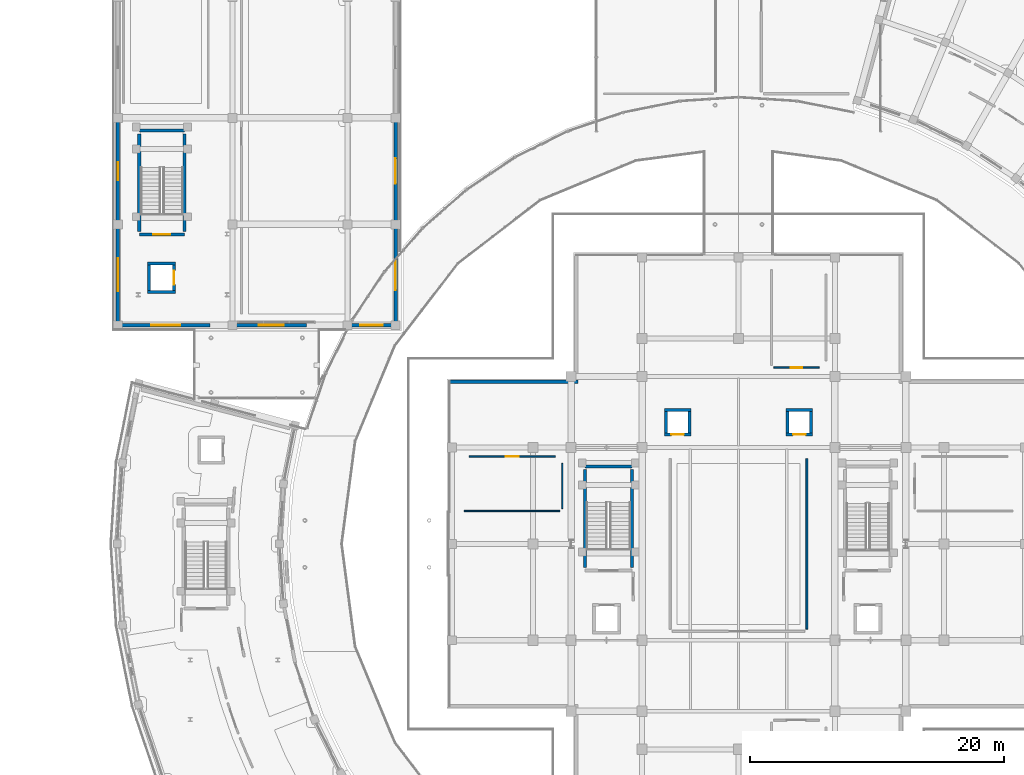
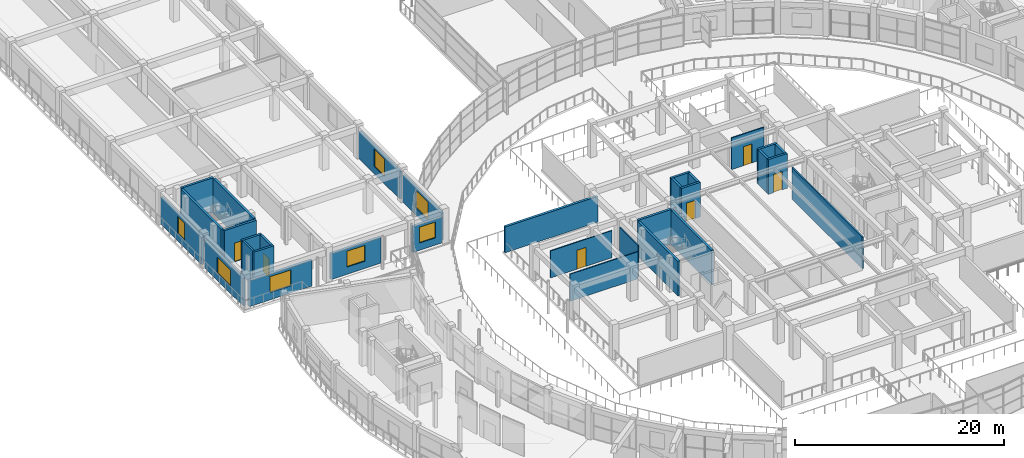
# One storey, part 58 of 83: 32 walls, 7 windows, 6 doors, 13 openings.
"""IFC4 building model written with IfcOpenShell, lengths in metres."""

from ifc_helpers import new_model, si_unit, direction, frame, frame_2d, origin, place, context, subcontext, project, spatial, rectangle, extrude, material, layer, layer_set, type_object, element, fill, save


model = new_model("IFC4")

# Units and contexts
model_context = context("Model", 3, precision=1e-05, world=origin(), true_north=direction((0.0, 1.0)))
body_context = subcontext(model_context, "Body", "Model", "MODEL_VIEW")
ifc_project = project(units=[si_unit("LENGTHUNIT", "METRE"), si_unit("AREAUNIT", "SQUARE_METRE"), si_unit("VOLUMEUNIT", "CUBIC_METRE"), si_unit("PLANEANGLEUNIT", "RADIAN"), si_unit("MASSUNIT", "GRAM", prefix="KILO")], contexts=[model_context])

# Site, building, storey
site_placement = place(None, origin())
site = spatial("IfcSite", under=ifc_project, at=site_placement, CompositionType="ELEMENT")
building_placement = place(site_placement, origin())
building = spatial("IfcBuilding", under=site, at=building_placement, Name="Saryqyr Civic Hall", CompositionType="ELEMENT")
storey_placement = place(building_placement, frame((0.0, 0.0, 9.14990234375)))
storey = spatial("IfcBuildingStorey", under=building, at=storey_placement, Name="L02", CompositionType="ELEMENT", Elevation=9.14990234375)

# Wall
ifc_material_1 = material(Name="Precast concrete C40/50", Category="concrete")
ifc_layer_1 = layer(ifc_material_1, 0.27001953125, Name="Precast concrete C40/50")
ifc_layer_set_1 = layer_set([ifc_layer_1], Name="Precast concrete C40/50")
wall_type_1 = type_object("IfcWallType", Name="ENV-WAL-EXT-270", PredefinedType="STANDARD", material=ifc_layer_set_1)
wall_1_placement = place(storey_placement, frame((34.080078125, 96.800048828125, 0.0), z_axis=(0.0, 0.0, 1.0), x_axis=(1.0, 0.0, 0.0)))
element("IfcWall", 1, at=wall_1_placement, inside=storey, type_object=wall_type_1, Name="Exterior wall V1-EW-L02-03", PredefinedType="STANDARD", context=body_context, shape_type="SweptSolid", body=[
    extrude(rectangle(XDim=10.239990234375, YDim=0.27001953125, at=frame_2d((5.1201171875, 0.0))), origin(), (0.0, 0.0, 1.0), 3.01513671875),
])

# Wall, opening, window
wall_2_placement = place(storey_placement, frame((29.6650390625, 101.25, 0.0), z_axis=(0.0, 0.0, 1.0), x_axis=(-1.0, 0.0, 0.0)))
wall_2 = element("IfcWall", 2, at=wall_2_placement, inside=storey, type_object=wall_type_1, Name="Exterior wall V3-EW-L02-0-0", PredefinedType="STANDARD", context=body_context, shape_type="SweptSolid", body=[
    extrude(rectangle(XDim=3.22998046875, YDim=0.27001953125, at=frame_2d((1.614990234375, 0.0))), origin(), (0.0, 0.0, 1.0), 3.005126953125),
])
opening_1_placement = place(wall_2_placement, frame((0.739990234375, 0.0, 0.85009765625)))
opening_1 = element("IfcOpeningElement", 3, at=opening_1_placement, cuts=wall_2, Name="Opening W-27", PredefinedType="OPENING", context=body_context, shape_type="SweptSolid", body=[
    extrude(rectangle(XDim=1.75, YDim=1.85009765625, at=frame_2d((0.875, 0.925048828125))), frame((0.0, 0.14501953125, 0.0), z_axis=(0.0, -1.0, 0.0), x_axis=(1.0, 0.0, 0.0)), (0.0, 0.0, 1.0), 0.2900390625),
])
ifc_material_2 = material(Name="Anodised aluminium and triple low-E glass", Category="aluminium")
window_type_1 = type_object("IfcWindowType", Name="ENV-WIN-W27", PartitioningType="SINGLE_PANEL", PredefinedType="WINDOW", material=ifc_material_2)
window_1_placement = place(opening_1_placement, origin())
window_1 = element("IfcWindow", 4, at=window_1_placement, inside=storey, type_object=window_type_1, Name="Library window L02-0-0", OverallHeight=1.85009765625, OverallWidth=1.75, PartitioningType="SINGLE_PANEL", PredefinedType="WINDOW", context=body_context, shape_type="SweptSolid", body=[
    extrude(rectangle(XDim=1.75, YDim=1.85009765625, at=frame_2d((0.875, 0.925048828125))), frame((0.0, 0.030029296875, 0.0), z_axis=(0.0, -1.0, 0.0), x_axis=(1.0, 0.0, 0.0)), (0.0, 0.0, 1.0), 0.06005859375),
])
fill(opening_1, window_1)

wall_3_placement = place(storey_placement, frame((22.919921875, 101.25, 0.0), z_axis=(0.0, 0.0, 1.0), x_axis=(-1.0, 0.0, 0.0)))
wall_3 = element("IfcWall", 5, at=wall_3_placement, inside=storey, type_object=wall_type_1, Name="Exterior wall V3-EW-L02-0-1", PredefinedType="STANDARD", context=body_context, shape_type="SweptSolid", body=[
    extrude(rectangle(XDim=5.534912109375, YDim=0.27001953125, at=frame_2d((2.767578125, 0.0))), origin(), (0.0, 0.0, 1.0), 3.01513671875),
])
opening_2_placement = place(wall_3_placement, frame((1.76806640625, 0.0, 0.85009765625)))
opening_2 = element("IfcOpeningElement", 6, at=opening_2_placement, cuts=wall_3, Name="Opening W-28", PredefinedType="OPENING", context=body_context, shape_type="SweptSolid", body=[
    extrude(rectangle(XDim=2.0, YDim=1.85009765625, at=frame_2d((1.0, 0.925048828125))), frame((0.0, 0.14501953125, 0.0), z_axis=(0.0, -1.0, 0.0), x_axis=(1.0, 0.0, 0.0)), (0.0, 0.0, 1.0), 0.2900390625),
])
window_type_2 = type_object("IfcWindowType", Name="ENV-WIN-W28", PartitioningType="SINGLE_PANEL", PredefinedType="WINDOW", material=ifc_material_2)
window_2_placement = place(opening_2_placement, origin())
window_2 = element("IfcWindow", 7, at=window_2_placement, inside=storey, type_object=window_type_2, Name="Library window L02-0-1", OverallHeight=1.85009765625, OverallWidth=2.0, PartitioningType="SINGLE_PANEL", PredefinedType="WINDOW", context=body_context, shape_type="SweptSolid", body=[
    extrude(rectangle(XDim=2.0, YDim=1.85009765625, at=frame_2d((1.0, 0.925048828125))), frame((0.0, 0.030029296875, 0.0), z_axis=(0.0, -1.0, 0.0), x_axis=(1.0, 0.0, 0.0)), (0.0, 0.0, 1.0), 0.06005859375),
])
fill(opening_2, window_2)

wall_4_placement = place(storey_placement, frame((15.320068359375, 101.25, 0.0), z_axis=(0.0, 0.0, 1.0), x_axis=(-1.0, 0.0, 0.0)))
wall_4 = element("IfcWall", 8, at=wall_4_placement, inside=storey, type_object=wall_type_1, Name="Exterior wall V3-EW-L02-0-2", PredefinedType="STANDARD", context=body_context, shape_type="SweptSolid", body=[
    extrude(rectangle(XDim=6.985107421875, YDim=0.27001953125, at=frame_2d((3.49267578125, 0.0))), origin(), (0.0, 0.0, 1.0), 3.01513671875),
])
opening_3_placement = place(wall_4_placement, frame((2.342041015625, 0.0, 0.85009765625)))
opening_3 = element("IfcOpeningElement", 9, at=opening_3_placement, cuts=wall_4, Name="Opening W-29", PredefinedType="OPENING", context=body_context, shape_type="SweptSolid", body=[
    extrude(rectangle(XDim=2.300048828125, YDim=1.85009765625, at=frame_2d((1.14990234375, 0.925048828125))), frame((0.0, 0.14501953125, 0.0), z_axis=(0.0, -1.0, 0.0), x_axis=(1.0, 0.0, 0.0)), (0.0, 0.0, 1.0), 0.2900390625),
])
window_type_3 = type_object("IfcWindowType", Name="ENV-WIN-W29", PartitioningType="SINGLE_PANEL", PredefinedType="WINDOW", material=ifc_material_2)
window_3_placement = place(opening_3_placement, origin())
window_3 = element("IfcWindow", 10, at=window_3_placement, inside=storey, type_object=window_type_3, Name="Library window L02-0-2", OverallHeight=1.85009765625, OverallWidth=2.300048828125, PartitioningType="SINGLE_PANEL", PredefinedType="WINDOW", context=body_context, shape_type="SweptSolid", body=[
    extrude(rectangle(XDim=2.300048828125, YDim=1.85009765625, at=frame_2d((1.14990234375, 0.925048828125))), frame((0.0, 0.030029296875, 0.0), z_axis=(0.0, -1.0, 0.0), x_axis=(1.0, 0.0, 0.0)), (0.0, 0.0, 1.0), 0.06005859375),
])
fill(opening_3, window_3)

wall_5_placement = place(storey_placement, frame((29.949951171875, 117.31494140625, 0.0), z_axis=(0.0, 0.0, 1.0), x_axis=(0.0, -1.0, 0.0)))
wall_5 = element("IfcWall", 11, at=wall_5_placement, inside=storey, type_object=wall_type_1, Name="Exterior wall V3-EW-L02-1-5", PredefinedType="STANDARD", context=body_context, shape_type="SweptSolid", body=[
    extrude(rectangle(XDim=7.829833984375, YDim=0.27001953125, at=frame_2d((3.9150390625, 0.0))), origin(), (0.0, 0.0, 1.0), 3.155029296875),
])
opening_4_placement = place(wall_5_placement, frame((2.9150390625, 0.0, 0.85009765625)))
opening_4 = element("IfcOpeningElement", 12, at=opening_4_placement, cuts=wall_5, Name="Opening W-33", PredefinedType="OPENING", context=body_context, shape_type="SweptSolid", body=[
    extrude(rectangle(XDim=2.0, YDim=2.050048828125, at=frame_2d((1.0, 1.02490234375))), frame((0.0, 0.14501953125, 0.0), z_axis=(0.0, -1.0, 0.0), x_axis=(1.0, 0.0, 0.0)), (0.0, 0.0, 1.0), 0.2900390625),
])
window_type_4 = type_object("IfcWindowType", Name="ENV-WIN-W33", PartitioningType="SINGLE_PANEL", PredefinedType="WINDOW", material=ifc_material_2)
window_4_placement = place(opening_4_placement, origin())
window_4 = element("IfcWindow", 13, at=window_4_placement, inside=storey, type_object=window_type_4, Name="Library window L02-1-5", OverallHeight=2.050048828125, OverallWidth=2.0, PartitioningType="SINGLE_PANEL", PredefinedType="WINDOW", context=body_context, shape_type="SweptSolid", body=[
    extrude(rectangle(XDim=2.0, YDim=2.050048828125, at=frame_2d((1.0, 1.02490234375))), frame((0.0, 0.030029296875, 0.0), z_axis=(0.0, -1.0, 0.0), x_axis=(1.0, 0.0, 0.0)), (0.0, 0.0, 1.0), 0.06005859375),
])
fill(opening_4, window_4)

wall_6_placement = place(storey_placement, frame((29.949951171875, 108.9150390625, 0.0), z_axis=(0.0, 0.0, 1.0), x_axis=(0.0, -1.0, 0.0)))
wall_6 = element("IfcWall", 14, at=wall_6_placement, inside=storey, type_object=wall_type_1, Name="Exterior wall V3-EW-L02-1-6", PredefinedType="STANDARD", context=body_context, shape_type="SweptSolid", body=[
    extrude(rectangle(XDim=7.380126953125, YDim=0.27001953125, at=frame_2d((3.68994140625, 0.0))), origin(), (0.0, 0.0, 1.0), 3.155029296875),
])
opening_5_placement = place(wall_6_placement, frame((2.489990234375, 0.0, 0.85009765625)))
opening_5 = element("IfcOpeningElement", 15, at=opening_5_placement, cuts=wall_6, Name="Opening W-34", PredefinedType="OPENING", context=body_context, shape_type="SweptSolid", body=[
    extrude(rectangle(XDim=2.39990234375, YDim=2.050048828125, at=frame_2d((1.199951171875, 1.02490234375))), frame((0.0, 0.14501953125, 0.0), z_axis=(0.0, -1.0, 0.0), x_axis=(1.0, 0.0, 0.0)), (0.0, 0.0, 1.0), 0.2900390625),
])
window_type_5 = type_object("IfcWindowType", Name="ENV-WIN-W34", PartitioningType="SINGLE_PANEL", PredefinedType="WINDOW", material=ifc_material_2)
window_5_placement = place(opening_5_placement, origin())
window_5 = element("IfcWindow", 16, at=window_5_placement, inside=storey, type_object=window_type_5, Name="Library window L02-1-6", OverallHeight=2.050048828125, OverallWidth=2.39990234375, PartitioningType="SINGLE_PANEL", PredefinedType="WINDOW", context=body_context, shape_type="SweptSolid", body=[
    extrude(rectangle(XDim=2.39990234375, YDim=2.050048828125, at=frame_2d((1.199951171875, 1.02490234375))), frame((0.0, 0.030029296875, 0.0), z_axis=(0.0, -1.0, 0.0), x_axis=(1.0, 0.0, 0.0)), (0.0, 0.0, 1.0), 0.06005859375),
])
fill(opening_5, window_5)

wall_7_placement = place(storey_placement, frame((8.050048828125, 101.534912109375, 0.0), z_axis=(0.0, 0.0, 1.0), x_axis=(0.0, 1.0, 0.0)))
wall_7 = element("IfcWall", 17, at=wall_7_placement, inside=storey, type_object=wall_type_1, Name="Exterior wall V3-EW-L02-3-0", PredefinedType="STANDARD", context=body_context, shape_type="SweptSolid", body=[
    extrude(rectangle(XDim=7.380126953125, YDim=0.27001953125, at=frame_2d((3.68994140625, 0.0))), origin(), (0.0, 0.0, 1.0), 3.1650390625),
])
opening_6_placement = place(wall_7_placement, frame((2.389892578125, 0.0, 0.85009765625)))
opening_6 = element("IfcOpeningElement", 18, at=opening_6_placement, cuts=wall_7, Name="Opening W-30", PredefinedType="OPENING", context=body_context, shape_type="SweptSolid", body=[
    extrude(rectangle(XDim=2.60009765625, YDim=1.85009765625, at=frame_2d((1.300048828125, 0.925048828125))), frame((0.0, 0.14501953125, 0.0), z_axis=(0.0, -1.0, 0.0), x_axis=(1.0, 0.0, 0.0)), (0.0, 0.0, 1.0), 0.2900390625),
])
window_type_6 = type_object("IfcWindowType", Name="ENV-WIN-W30", PartitioningType="SINGLE_PANEL", PredefinedType="WINDOW", material=ifc_material_2)
window_6_placement = place(opening_6_placement, origin())
window_6 = element("IfcWindow", 19, at=window_6_placement, inside=storey, type_object=window_type_6, Name="Library window L02-3-0", OverallHeight=1.85009765625, OverallWidth=2.60009765625, PartitioningType="SINGLE_PANEL", PredefinedType="WINDOW", context=body_context, shape_type="SweptSolid", body=[
    extrude(rectangle(XDim=2.60009765625, YDim=1.85009765625, at=frame_2d((1.300048828125, 0.925048828125))), frame((0.0, 0.030029296875, 0.0), z_axis=(0.0, -1.0, 0.0), x_axis=(1.0, 0.0, 0.0)), (0.0, 0.0, 1.0), 0.06005859375),
])
fill(opening_6, window_6)

wall_8_placement = place(storey_placement, frame((8.050048828125, 109.485107421875, 0.0), z_axis=(0.0, 0.0, 1.0), x_axis=(0.0, 1.0, 0.0)))
wall_8 = element("IfcWall", 20, at=wall_8_placement, inside=storey, type_object=wall_type_1, Name="Exterior wall V3-EW-L02-3-1", PredefinedType="STANDARD", context=body_context, shape_type="SweptSolid", body=[
    extrude(rectangle(XDim=7.829833984375, YDim=0.27001953125, at=frame_2d((3.9150390625, 0.0))), origin(), (0.0, 0.0, 1.0), 3.1650390625),
])
opening_7_placement = place(wall_8_placement, frame((3.215087890625, 0.0, 0.85009765625)))
opening_7 = element("IfcOpeningElement", 21, at=opening_7_placement, cuts=wall_8, Name="Opening W-31", PredefinedType="OPENING", context=body_context, shape_type="SweptSolid", body=[
    extrude(rectangle(XDim=1.39990234375, YDim=2.050048828125, at=frame_2d((0.699951171875, 1.02490234375))), frame((0.0, 0.14501953125, 0.0), z_axis=(0.0, -1.0, 0.0), x_axis=(1.0, 0.0, 0.0)), (0.0, 0.0, 1.0), 0.2900390625),
])
window_type_7 = type_object("IfcWindowType", Name="ENV-WIN-W31", PartitioningType="SINGLE_PANEL", PredefinedType="WINDOW", material=ifc_material_2)
window_7_placement = place(opening_7_placement, origin())
window_7 = element("IfcWindow", 22, at=window_7_placement, inside=storey, type_object=window_type_7, Name="Library window L02-3-1", OverallHeight=2.050048828125, OverallWidth=1.39990234375, PartitioningType="SINGLE_PANEL", PredefinedType="WINDOW", context=body_context, shape_type="SweptSolid", body=[
    extrude(rectangle(XDim=1.39990234375, YDim=2.050048828125, at=frame_2d((0.699951171875, 1.02490234375))), frame((0.0, 0.030029296875, 0.0), z_axis=(0.0, -1.0, 0.0), x_axis=(1.0, 0.0, 0.0)), (0.0, 0.0, 1.0), 0.06005859375),
])
fill(opening_7, window_7)

# Wall
ifc_material_3 = material(Name="Moisture-resistant gypsum partition", Category="gypsum")
ifc_layer_2 = layer(ifc_material_3, 0.110107421875, Name="Moisture-resistant gypsum partition")
ifc_layer_set_2 = layer_set([ifc_layer_2], Name="Moisture-resistant gypsum partition")
wall_type_2 = type_object("IfcWallType", Name="INT-WAL-PRT-110", PredefinedType="PARTITIONING", material=ifc_layer_set_2)
wall_9_placement = place(storey_placement, frame((43.10009765625, 90.35009765625, 0.0), z_axis=(0.0, 0.0, 1.0), x_axis=(0.0, -1.0, 0.0)))
element("IfcWall", 23, at=wall_9_placement, inside=storey, type_object=wall_type_2, Name="Interior partition PRT-SP-V1-L02-R04-W1", PredefinedType="PARTITIONING", context=body_context, shape_type="SweptSolid", body=[
    extrude(rectangle(XDim=3.570068359375, YDim=0.110107421875, at=frame_2d((1.78515625, 0.0))), origin(), (0.0, 0.0, 1.0), 3.7001953125),
])

# Wall, opening, door
wall_10_placement = place(storey_placement, frame((35.75, 90.89990234375, 0.0), z_axis=(0.0, 0.0, 1.0), x_axis=(1.0, 0.0, 0.0)))
wall_10 = element("IfcWall", 24, at=wall_10_placement, inside=storey, type_object=wall_type_2, Name="Interior partition PRT-SP-V1-L02-R04-W2", PredefinedType="PARTITIONING", context=body_context, shape_type="SweptSolid", body=[
    extrude(rectangle(XDim=6.800048828125, YDim=0.110107421875, at=frame_2d((3.39990234375, 0.0))), origin(), (0.0, 0.0, 1.0), 3.1650390625),
])
opening_8_placement = place(wall_10_placement, frame((2.89990234375, 0.0, 0.0)))
opening_8 = element("IfcOpeningElement", 25, at=opening_8_placement, cuts=wall_10, Name="Opening D-10", PredefinedType="OPENING", context=body_context, shape_type="SweptSolid", body=[
    extrude(rectangle(XDim=1.0, YDim=2.219970703125, at=frame_2d((0.5, 1.10986328125))), frame((0.0, 0.06494140625, 0.0), z_axis=(0.0, -1.0, 0.0), x_axis=(1.0, 0.0, 0.0)), (0.0, 0.0, 1.0), 0.130126953125),
])
ifc_material_4 = material(Name="Acoustic solid-core oak veneer", Category="wood")
door_type_1 = type_object("IfcDoorType", Name="INT-DR-D-10", OperationType="NOTDEFINED", PredefinedType="DOOR", material=ifc_material_4)
door_1_placement = place(opening_8_placement, origin())
door_1 = element("IfcDoor", 26, at=door_1_placement, inside=storey, type_object=door_type_1, Name="Interior door Caucus Room West", OperationType="SINGLE_SWING_RIGHT", OverallHeight=2.219970703125, OverallWidth=1.0, PredefinedType="DOOR", context=body_context, shape_type="SweptSolid", body=[
    extrude(rectangle(XDim=1.0, YDim=2.219970703125, at=frame_2d((0.5, 1.10986328125))), frame((0.0, 0.02490234375, 0.0), z_axis=(0.0, -1.0, 0.0), x_axis=(1.0, 0.0, 0.0)), (0.0, 0.0, 1.0), 0.050048828125),
])
fill(opening_8, door_1)

# Wall
wall_11_placement = place(storey_placement, frame((42.919921875, 86.60009765625, 0.0), z_axis=(0.0, 0.0, 1.0), x_axis=(-1.0, 0.0, 0.0)))
element("IfcWall", 27, at=wall_11_placement, inside=storey, type_object=wall_type_2, Name="Interior partition PRT-SP-V1-L02-R04-W3", PredefinedType="PARTITIONING", context=body_context, shape_type="SweptSolid", body=[
    extrude(rectangle(XDim=7.5400390625, YDim=0.110107421875, at=frame_2d((3.77001953125, 0.0))), origin(), (0.0, 0.0, 1.0), 3.1650390625),
])

# Wall, opening, door
ifc_material_5 = material(Name="Metal-stud gypsum board partition", Category="gypsum")
ifc_layer_3 = layer(ifc_material_5, 0.125, Name="Metal-stud gypsum board partition")
ifc_layer_set_3 = layer_set([ifc_layer_3], Name="Metal-stud gypsum board partition")
wall_type_3 = type_object("IfcWallType", Name="INT-WAL-PRT-125", PredefinedType="PARTITIONING", material=ifc_layer_set_3)
wall_12_placement = place(storey_placement, frame((63.35009765625, 97.89990234375, 0.0), z_axis=(0.0, 0.0, 1.0), x_axis=(-1.0, 0.0, 0.0)))
wall_12 = element("IfcWall", 28, at=wall_12_placement, inside=storey, type_object=wall_type_3, Name="Interior partition PRT-SP-V1-L02-R03-W1", PredefinedType="PARTITIONING", context=body_context, shape_type="SweptSolid", body=[
    extrude(rectangle(XDim=3.570068359375, YDim=0.125, at=frame_2d((1.78515625, 0.0))), origin(), (0.0, 0.0, 1.0), 3.7001953125),
])
opening_9_placement = place(wall_12_placement, frame((1.3349609375, 0.0, 0.0)))
opening_9 = element("IfcOpeningElement", 29, at=opening_9_placement, cuts=wall_12, Name="Opening D-09", PredefinedType="OPENING", context=body_context, shape_type="SweptSolid", body=[
    extrude(rectangle(XDim=0.89990234375, YDim=2.219970703125, at=frame_2d((0.449951171875, 1.10986328125))), frame((0.0, 0.072509765625, 0.0), z_axis=(0.0, -1.0, 0.0), x_axis=(1.0, 0.0, 0.0)), (0.0, 0.0, 1.0), 0.14501953125),
])
door_type_2 = type_object("IfcDoorType", Name="INT-DR-D-09", OperationType="NOTDEFINED", PredefinedType="DOOR", material=ifc_material_4)
door_2_placement = place(opening_9_placement, origin())
door_2 = element("IfcDoor", 30, at=door_2_placement, inside=storey, type_object=door_type_2, Name="Interior door Legislative Translation & Briefing Room", OperationType="SINGLE_SWING_LEFT", OverallHeight=2.219970703125, OverallWidth=0.89990234375, PredefinedType="DOOR", context=body_context, shape_type="SweptSolid", body=[
    extrude(rectangle(XDim=0.89990234375, YDim=2.219970703125, at=frame_2d((0.449951171875, 1.10986328125))), frame((0.0, 0.02490234375, 0.0), z_axis=(0.0, -1.0, 0.0), x_axis=(1.0, 0.0, 0.0)), (0.0, 0.0, 1.0), 0.050048828125),
])
fill(opening_9, door_2)

# Wall
ifc_material_6 = material(Name="Acoustic double-stud gypsum board", Category="gypsum")
ifc_layer_4 = layer(ifc_material_6, 0.155029296875, Name="Acoustic double-stud gypsum board")
ifc_layer_set_4 = layer_set([ifc_layer_4], Name="Acoustic double-stud gypsum board")
wall_type_4 = type_object("IfcWallType", Name="INT-WAL-PRT-155", PredefinedType="PARTITIONING", material=ifc_layer_set_4)
wall_13_placement = place(storey_placement, frame((62.39990234375, 90.719970703125, 0.0), z_axis=(0.0, 0.0, 1.0), x_axis=(0.0, -1.0, 0.0)))
element("IfcWall", 31, at=wall_13_placement, inside=storey, type_object=wall_type_4, Name="Interior partition PRT-SP-V1-L02-R01-W2", PredefinedType="PARTITIONING", context=body_context, shape_type="SweptSolid", body=[
    extrude(rectangle(XDim=13.43994140625, YDim=0.155029296875, at=frame_2d((6.719970703125, 0.0))), origin(), (0.0, 0.0, 1.0), 3.7001953125),
])

# Wall, opening, door
ifc_material_7 = material(Name="Concrete C40/50", Category="concrete")
ifc_layer_5 = layer(ifc_material_7, 0.239990234375, Name="Concrete C40/50")
ifc_layer_set_5 = layer_set([ifc_layer_5], Name="Concrete C40/50")
wall_type_5 = type_object("IfcWallType", Name="INT-WAL-SHR-240", PredefinedType="SHEAR", material=ifc_layer_set_5)
wall_14_placement = place(storey_placement, frame((53.25, 92.6201171875, 0.0), z_axis=(0.0, 0.0, 1.0), x_axis=(-1.0, 0.0, 0.0)))
wall_14 = element("IfcWall", 32, at=wall_14_placement, inside=storey, type_object=wall_type_5, Name="Lift shaft shear wall LF-03-SHW-S-L02", PredefinedType="SHEAR", context=body_context, shape_type="SweptSolid", body=[
    extrude(rectangle(XDim=2.10009765625, YDim=0.239990234375, at=frame_2d((1.050048828125, 0.0))), origin(), (0.0, 0.0, 1.0), 4.050048828125),
])
opening_10_placement = place(wall_14_placement, frame((0.550048828125, 0.0, 0.0)))
opening_10 = element("IfcOpeningElement", 33, at=opening_10_placement, cuts=wall_14, Name="Opening LD-02", PredefinedType="OPENING", context=body_context, shape_type="SweptSolid", body=[
    extrude(rectangle(XDim=1.0, YDim=2.14990234375, at=frame_2d((0.5, 1.074951171875))), frame((0.0, 0.1298828125, 0.0), z_axis=(0.0, -1.0, 0.0), x_axis=(1.0, 0.0, 0.0)), (0.0, 0.0, 1.0), 0.260009765625),
])
ifc_material_8 = material(Name="Brushed stainless steel", Category="steel")
door_type_3 = type_object("IfcDoorType", Name="INT-DR-LD-1000x2150", OperationType="NOTDEFINED", PredefinedType="DOOR", material=ifc_material_8)
door_3_placement = place(opening_10_placement, origin())
door_3 = element("IfcDoor", 34, at=door_3_placement, inside=storey, type_object=door_type_3, Name="Lift sliding landing door LF-03 L02", OperationType="SLIDING_TO_LEFT", OverallHeight=2.14990234375, OverallWidth=1.0, PredefinedType="DOOR", context=body_context, shape_type="SweptSolid", body=[
    extrude(rectangle(XDim=1.0, YDim=2.14990234375, at=frame_2d((0.5, 1.074951171875))), frame((0.0, 0.02490234375, 0.0), z_axis=(0.0, -1.0, 0.0), x_axis=(1.0, 0.0, 0.0)), (0.0, 0.0, 1.0), 0.050048828125),
])
fill(opening_10, door_3)

# Walls
wall_15_placement = place(storey_placement, frame((53.1298828125, 94.4599609375, 0.0), z_axis=(0.0, 0.0, 1.0), x_axis=(0.0, -1.0, 0.0)))
element("IfcWall", 35, at=wall_15_placement, inside=storey, type_object=wall_type_5, Name="Lift shaft shear wall LF-03-SHW-E-L02", PredefinedType="SHEAR", context=body_context, shape_type="SweptSolid", body=[
    extrude(rectangle(XDim=1.719970703125, YDim=0.239990234375, at=frame_2d((0.85986328125, 0.0))), origin(), (0.0, 0.0, 1.0), 4.050048828125),
])
wall_16_placement = place(storey_placement, frame((51.14990234375, 94.580078125, 0.0), z_axis=(0.0, 0.0, 1.0), x_axis=(1.0, 0.0, 0.0)))
element("IfcWall", 36, at=wall_16_placement, inside=storey, type_object=wall_type_5, Name="Lift shaft shear wall LF-03-SHW-N-L02", PredefinedType="SHEAR", context=body_context, shape_type="SweptSolid", body=[
    extrude(rectangle(XDim=2.10009765625, YDim=0.239990234375, at=frame_2d((1.050048828125, 0.0))), origin(), (0.0, 0.0, 1.0), 4.050048828125),
])
wall_17_placement = place(storey_placement, frame((51.27001953125, 92.739990234375, 0.0), z_axis=(0.0, 0.0, 1.0), x_axis=(0.0, 1.0, 0.0)))
element("IfcWall", 37, at=wall_17_placement, inside=storey, type_object=wall_type_5, Name="Lift shaft shear wall LF-03-SHW-W-L02", PredefinedType="SHEAR", context=body_context, shape_type="SweptSolid", body=[
    extrude(rectangle(XDim=1.719970703125, YDim=0.239990234375, at=frame_2d((0.85986328125, 0.0))), origin(), (0.0, 0.0, 1.0), 4.050048828125),
])

# Wall, opening, door
wall_18_placement = place(storey_placement, frame((62.85009765625, 92.6201171875, 0.0), z_axis=(0.0, 0.0, 1.0), x_axis=(-1.0, 0.0, 0.0)))
wall_18 = element("IfcWall", 38, at=wall_18_placement, inside=storey, type_object=wall_type_5, Name="Lift shaft shear wall LF-04-SHW-S-L02", PredefinedType="SHEAR", context=body_context, shape_type="SweptSolid", body=[
    extrude(rectangle(XDim=2.10009765625, YDim=0.239990234375, at=frame_2d((1.050048828125, 0.0))), origin(), (0.0, 0.0, 1.0), 4.050048828125),
])
opening_11_placement = place(wall_18_placement, frame((0.550048828125, 0.0, 0.0)))
opening_11 = element("IfcOpeningElement", 39, at=opening_11_placement, cuts=wall_18, Name="Opening LD-02", PredefinedType="OPENING", context=body_context, shape_type="SweptSolid", body=[
    extrude(rectangle(XDim=1.0, YDim=2.14990234375, at=frame_2d((0.5, 1.074951171875))), frame((0.0, 0.1298828125, 0.0), z_axis=(0.0, -1.0, 0.0), x_axis=(1.0, 0.0, 0.0)), (0.0, 0.0, 1.0), 0.260009765625),
])
door_4_placement = place(opening_11_placement, origin())
door_4 = element("IfcDoor", 40, at=door_4_placement, inside=storey, type_object=door_type_3, Name="Lift sliding landing door LF-04 L02", OperationType="SLIDING_TO_RIGHT", OverallHeight=2.14990234375, OverallWidth=1.0, PredefinedType="DOOR", context=body_context, shape_type="SweptSolid", body=[
    extrude(rectangle(XDim=1.0, YDim=2.14990234375, at=frame_2d((0.5, 1.074951171875))), frame((0.0, 0.02490234375, 0.0), z_axis=(0.0, -1.0, 0.0), x_axis=(1.0, 0.0, 0.0)), (0.0, 0.0, 1.0), 0.050048828125),
])
fill(opening_11, door_4)

# Walls
wall_19_placement = place(storey_placement, frame((62.72998046875, 94.4599609375, 0.0), z_axis=(0.0, 0.0, 1.0), x_axis=(0.0, -1.0, 0.0)))
element("IfcWall", 41, at=wall_19_placement, inside=storey, type_object=wall_type_5, Name="Lift shaft shear wall LF-04-SHW-E-L02", PredefinedType="SHEAR", context=body_context, shape_type="SweptSolid", body=[
    extrude(rectangle(XDim=1.719970703125, YDim=0.239990234375, at=frame_2d((0.85986328125, 0.0))), origin(), (0.0, 0.0, 1.0), 4.050048828125),
])
wall_20_placement = place(storey_placement, frame((60.75, 94.580078125, 0.0), z_axis=(0.0, 0.0, 1.0), x_axis=(1.0, 0.0, 0.0)))
element("IfcWall", 42, at=wall_20_placement, inside=storey, type_object=wall_type_5, Name="Lift shaft shear wall LF-04-SHW-N-L02", PredefinedType="SHEAR", context=body_context, shape_type="SweptSolid", body=[
    extrude(rectangle(XDim=2.10009765625, YDim=0.239990234375, at=frame_2d((1.050048828125, 0.0))), origin(), (0.0, 0.0, 1.0), 4.050048828125),
])
wall_21_placement = place(storey_placement, frame((60.8701171875, 92.739990234375, 0.0), z_axis=(0.0, 0.0, 1.0), x_axis=(0.0, 1.0, 0.0)))
element("IfcWall", 43, at=wall_21_placement, inside=storey, type_object=wall_type_5, Name="Lift shaft shear wall LF-04-SHW-W-L02", PredefinedType="SHEAR", context=body_context, shape_type="SweptSolid", body=[
    extrude(rectangle(XDim=1.719970703125, YDim=0.239990234375, at=frame_2d((0.85986328125, 0.0))), origin(), (0.0, 0.0, 1.0), 4.050048828125),
])
wall_22_placement = place(storey_placement, frame((12.60009765625, 103.8701171875, 0.0), z_axis=(0.0, 0.0, 1.0), x_axis=(-1.0, 0.0, 0.0)))
element("IfcWall", 44, at=wall_22_placement, inside=storey, type_object=wall_type_5, Name="Lift shaft shear wall LF-05-SHW-S-L02", PredefinedType="SHEAR", context=body_context, shape_type="SweptSolid", body=[
    extrude(rectangle(XDim=2.2001953125, YDim=0.239990234375, at=frame_2d((1.10009765625, 0.0))), origin(), (0.0, 0.0, 1.0), 4.050048828125),
])

# Wall, opening, door
wall_23_placement = place(storey_placement, frame((12.47998046875, 106.010009765625, 0.0), z_axis=(0.0, 0.0, 1.0), x_axis=(0.0, -1.0, 0.0)))
wall_23 = element("IfcWall", 45, at=wall_23_placement, inside=storey, type_object=wall_type_5, Name="Lift shaft shear wall LF-05-SHW-E-L02", PredefinedType="SHEAR", context=body_context, shape_type="SweptSolid", body=[
    extrude(rectangle(XDim=2.02001953125, YDim=0.239990234375, at=frame_2d((1.010009765625, 0.0))), origin(), (0.0, 0.0, 1.0), 4.050048828125),
])
opening_12_placement = place(wall_23_placement, frame((0.4599609375, 0.0, 0.0)))
opening_12 = element("IfcOpeningElement", 46, at=opening_12_placement, cuts=wall_23, Name="Opening LD-01", PredefinedType="OPENING", context=body_context, shape_type="SweptSolid", body=[
    extrude(rectangle(XDim=1.10009765625, YDim=2.14990234375, at=frame_2d((0.550048828125, 1.074951171875))), frame((0.0, 0.1298828125, 0.0), z_axis=(0.0, -1.0, 0.0), x_axis=(1.0, 0.0, 0.0)), (0.0, 0.0, 1.0), 0.260009765625),
])
door_type_4 = type_object("IfcDoorType", Name="INT-DR-LD-1100x2150", OperationType="NOTDEFINED", PredefinedType="DOOR", material=ifc_material_8)
door_5_placement = place(opening_12_placement, origin())
door_5 = element("IfcDoor", 47, at=door_5_placement, inside=storey, type_object=door_type_4, Name="Lift sliding landing door LF-05 L02", OperationType="SLIDING_TO_LEFT", OverallHeight=2.14990234375, OverallWidth=1.10009765625, PredefinedType="DOOR", context=body_context, shape_type="SweptSolid", body=[
    extrude(rectangle(XDim=1.10009765625, YDim=2.14990234375, at=frame_2d((0.550048828125, 1.074951171875))), frame((0.0, 0.02490234375, 0.0), z_axis=(0.0, -1.0, 0.0), x_axis=(1.0, 0.0, 0.0)), (0.0, 0.0, 1.0), 0.050048828125),
])
fill(opening_12, door_5)

# Walls
wall_24_placement = place(storey_placement, frame((10.39990234375, 106.1298828125, 0.0), z_axis=(0.0, 0.0, 1.0), x_axis=(1.0, 0.0, 0.0)))
element("IfcWall", 48, at=wall_24_placement, inside=storey, type_object=wall_type_5, Name="Lift shaft shear wall LF-05-SHW-N-L02", PredefinedType="SHEAR", context=body_context, shape_type="SweptSolid", body=[
    extrude(rectangle(XDim=2.2001953125, YDim=0.239990234375, at=frame_2d((1.10009765625, 0.0))), origin(), (0.0, 0.0, 1.0), 4.050048828125),
])
wall_25_placement = place(storey_placement, frame((10.52001953125, 103.989990234375, 0.0), z_axis=(0.0, 0.0, 1.0), x_axis=(0.0, 1.0, 0.0)))
element("IfcWall", 49, at=wall_25_placement, inside=storey, type_object=wall_type_5, Name="Lift shaft shear wall LF-05-SHW-W-L02", PredefinedType="SHEAR", context=body_context, shape_type="SweptSolid", body=[
    extrude(rectangle(XDim=2.02001953125, YDim=0.239990234375, at=frame_2d((1.010009765625, 0.0))), origin(), (0.0, 0.0, 1.0), 4.050048828125),
])
ifc_layer_6 = layer(ifc_material_7, 0.25, Name="Concrete C40/50")
ifc_layer_set_6 = layer_set([ifc_layer_6], Name="Concrete C40/50")
wall_type_6 = type_object("IfcWallType", Name="INT-WAL-SHR-250", PredefinedType="SHEAR", material=ifc_layer_set_6)
wall_26_placement = place(storey_placement, frame((44.89990234375, 82.14990234375, 0.0), z_axis=(0.0, 0.0, 1.0), x_axis=(0.0, 1.0, 0.0)))
element("IfcWall", 50, at=wall_26_placement, inside=storey, type_object=wall_type_6, Name="Protected stair shaft wall ST-1-SW2-L02", PredefinedType="SHEAR", context=body_context, shape_type="SweptSolid", body=[
    extrude(rectangle(XDim=7.7001953125, YDim=0.25, at=frame_2d((3.85009765625, 0.0))), origin(), (0.0, 0.0, 1.0), 4.050048828125),
])
wall_27_placement = place(storey_placement, frame((44.89990234375, 90.10009765625, 0.0), z_axis=(0.0, 0.0, 1.0), x_axis=(1.0, 0.0, 0.0)))
element("IfcWall", 51, at=wall_27_placement, inside=storey, type_object=wall_type_6, Name="Protected stair shaft wall ST-1-SW3-L02", PredefinedType="SHEAR", context=body_context, shape_type="SweptSolid", body=[
    extrude(rectangle(XDim=3.7001953125, YDim=0.25, at=frame_2d((1.85009765625, 0.0))), origin(), (0.0, 0.0, 1.0), 4.050048828125),
])
wall_28_placement = place(storey_placement, frame((48.60009765625, 89.85009765625, 0.0), z_axis=(0.0, 0.0, 1.0), x_axis=(0.0, -1.0, 0.0)))
element("IfcWall", 52, at=wall_28_placement, inside=storey, type_object=wall_type_6, Name="Protected stair shaft wall ST-1-SW4-L02", PredefinedType="SHEAR", context=body_context, shape_type="SweptSolid", body=[
    extrude(rectangle(XDim=7.7001953125, YDim=0.25, at=frame_2d((3.85009765625, 0.0))), origin(), (0.0, 0.0, 1.0), 4.050048828125),
])

# Wall, opening, door
wall_29_placement = place(storey_placement, frame((13.300048828125, 108.39990234375, 0.0), z_axis=(0.0, 0.0, 1.0), x_axis=(-1.0, 0.0, 0.0)))
wall_29 = element("IfcWall", 53, at=wall_29_placement, inside=storey, type_object=wall_type_6, Name="Protected stair shaft wall ST-3-SW1-L02", PredefinedType="SHEAR", context=body_context, shape_type="SweptSolid", body=[
    extrude(rectangle(XDim=3.56005859375, YDim=0.25, at=frame_2d((1.780029296875, 0.0))), origin(), (0.0, 0.0, 1.0), 4.050048828125),
])
opening_13_placement = place(wall_29_placement, frame((1.10498046875, 0.0, 0.0)))
opening_13 = element("IfcOpeningElement", 54, at=opening_13_placement, cuts=wall_29, Name="Opening SD-01", PredefinedType="OPENING", context=body_context, shape_type="SweptSolid", body=[
    extrude(rectangle(XDim=1.35009765625, YDim=2.199951171875, at=frame_2d((0.675048828125, 1.10009765625))), frame((0.0, 0.135009765625, 0.0), z_axis=(0.0, -1.0, 0.0), x_axis=(1.0, 0.0, 0.0)), (0.0, 0.0, 1.0), 0.27001953125),
])
ifc_material_9 = material(Name="Painted galvanized steel", Category="steel")
door_type_5 = type_object("IfcDoorType", Name="INT-DR-STAIR-1350x2200", OperationType="NOTDEFINED", PredefinedType="DOOR", material=ifc_material_9)
door_6_placement = place(opening_13_placement, origin())
door_6 = element("IfcDoor", 55, at=door_6_placement, inside=storey, type_object=door_type_5, Name="Exit stair landing fire door ST-3-L02", OperationType="SINGLE_SWING_RIGHT", OverallHeight=2.199951171875, OverallWidth=1.35009765625, PredefinedType="DOOR", context=body_context, shape_type="SweptSolid", body=[
    extrude(rectangle(XDim=1.35009765625, YDim=2.199951171875, at=frame_2d((0.675048828125, 1.10009765625))), frame((0.0, 0.02490234375, 0.0), z_axis=(0.0, -1.0, 0.0), x_axis=(1.0, 0.0, 0.0)), (0.0, 0.0, 1.0), 0.050048828125),
])
fill(opening_13, door_6)

# Walls
wall_30_placement = place(storey_placement, frame((9.739990234375, 108.64990234375, 0.0), z_axis=(0.0, 0.0, 1.0), x_axis=(0.0, 1.0, 0.0)))
element("IfcWall", 56, at=wall_30_placement, inside=storey, type_object=wall_type_6, Name="Protected stair shaft wall ST-3-SW2-L02", PredefinedType="SHEAR", context=body_context, shape_type="SweptSolid", body=[
    extrude(rectangle(XDim=7.7001953125, YDim=0.25, at=frame_2d((3.85009765625, 0.0))), origin(), (0.0, 0.0, 1.0), 4.050048828125),
])
wall_31_placement = place(storey_placement, frame((9.739990234375, 116.60009765625, 0.0), z_axis=(0.0, 0.0, 1.0), x_axis=(1.0, 0.0, 0.0)))
element("IfcWall", 57, at=wall_31_placement, inside=storey, type_object=wall_type_6, Name="Protected stair shaft wall ST-3-SW3-L02", PredefinedType="SHEAR", context=body_context, shape_type="SweptSolid", body=[
    extrude(rectangle(XDim=3.56005859375, YDim=0.25, at=frame_2d((1.780029296875, 0.0))), origin(), (0.0, 0.0, 1.0), 4.050048828125),
])
wall_32_placement = place(storey_placement, frame((13.300048828125, 116.35009765625, 0.0), z_axis=(0.0, 0.0, 1.0), x_axis=(0.0, -1.0, 0.0)))
element("IfcWall", 58, at=wall_32_placement, inside=storey, type_object=wall_type_6, Name="Protected stair shaft wall ST-3-SW4-L02", PredefinedType="SHEAR", context=body_context, shape_type="SweptSolid", body=[
    extrude(rectangle(XDim=7.7001953125, YDim=0.25, at=frame_2d((3.85009765625, 0.0))), origin(), (0.0, 0.0, 1.0), 4.050048828125),
])

save(model, "model.ifc")
